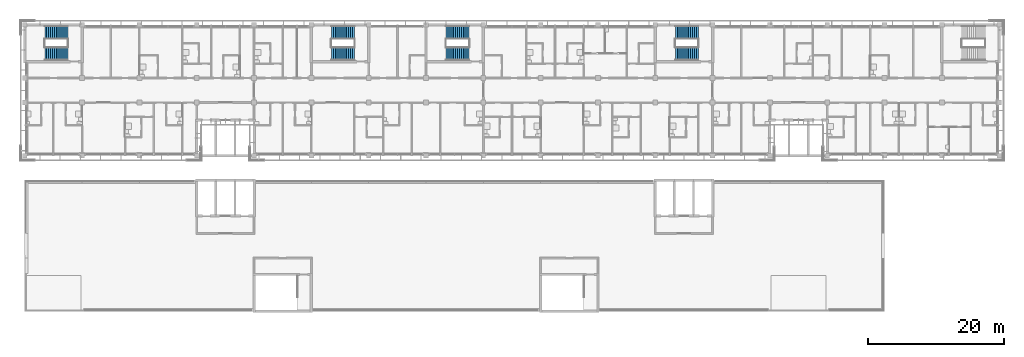
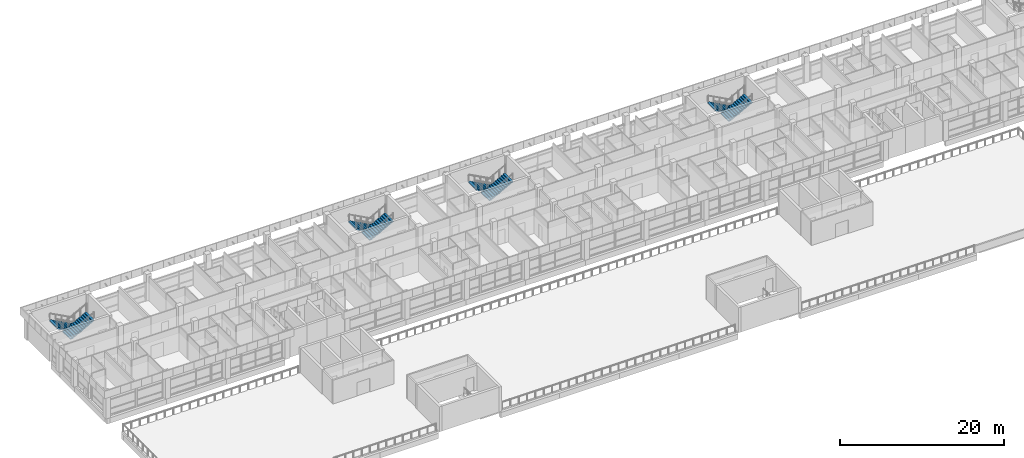
# One storey, part 28 of 46: 8 stair flights, 4 elements without a shape of their own.
"""IFC4 building model written with IfcOpenShell, lengths in metres."""

from ifc_helpers import new_model, si_unit, direction, frame, origin, place, context, subcontext, project, spatial, polyline, outline, extrude, material, type_object, element, aggregate, save


model = new_model("IFC4")

# Units and contexts
model_context = context("Model", 3, precision=1e-05, world=origin(), true_north=direction((0.0, 1.0)))
body_context = subcontext(model_context, "Body", "Model", "MODEL_VIEW")
ifc_project = project(units=[si_unit("LENGTHUNIT", "METRE"), si_unit("AREAUNIT", "SQUARE_METRE"), si_unit("VOLUMEUNIT", "CUBIC_METRE"), si_unit("PLANEANGLEUNIT", "RADIAN"), si_unit("MASSUNIT", "GRAM", prefix="KILO")], contexts=[model_context])

# Site, building, storey
site_placement = place(None, origin())
site = spatial("IfcSite", under=ifc_project, at=site_placement, CompositionType="ELEMENT")
building_placement = place(site_placement, origin())
building = spatial("IfcBuilding", under=site, at=building_placement, Name="Bougainvillea Quay General Hospital", CompositionType="ELEMENT")
storey_placement = place(building_placement, frame((0.0, 0.0, 28.800048828125)))
storey = spatial("IfcBuildingStorey", under=building, at=storey_placement, Name="L06", CompositionType="ELEMENT", Elevation=28.800048828125)

# Stair, stair flights
ifc_material = material(Name="Concrete C35", Category="concrete")
stair_type = type_object("IfcStairType", Name="Stair half-turn 1925 wide", PredefinedType="HALF_TURN_STAIR", material=ifc_material)
stair_1_placement = place(storey_placement, origin())
stair_1 = element("IfcStair", 1, at=stair_1_placement, inside=storey, type_object=stair_type, Name="L06 stair ST-A1", PredefinedType="HALF_TURN_STAIR")
stair_flight_type = type_object("IfcStairFlightType", Name="Stair flight 1925", PredefinedType="STRAIGHT", material=ifc_material)
stair_flight_1_placement = place(storey_placement, frame((48.300048828125, 158.46240234375, 0.0), z_axis=(0.0, 0.0, 1.0), x_axis=(-1.0, 0.0, 0.0)))
stair_flight_1 = element("IfcStairFlight", 2, at=stair_flight_1_placement, type_object=stair_flight_type, Name="ST-A1 flight 1", NumberOfRisers=13, NumberOfTreads=12, PredefinedType="STRAIGHT", RiserHeight=0.15, TreadLength=0.28, context=body_context, shape_type="SweptSolid", body=[
    extrude(outline(polyline([(-0.0029296875, 0.0), (-0.0029296875, 0.003662109375), (-0.0029296875, 0.00732421875), (-0.0029296875, 0.010986328125), (-0.0029296875, 0.0146484375), (-0.0029296875, 0.018310546875), (-0.0029296875, 0.02197265625), (-0.0029296875, 0.025634765625), (-0.0029296875, 0.029296875), (-0.0029296875, 0.032958984375), (-0.0029296875, 0.03662109375), (-0.0029296875, 0.040283203125), (-0.0029296875, 0.0439453125), (-0.0029296875, 0.047607421875), (-0.0029296875, 0.05126953125), (-0.0029296875, 0.054931640625), (-0.0029296875, 0.05859375), (-0.0029296875, 0.062255859375), (-0.0029296875, 0.06591796875), (-0.0029296875, 0.069580078125), (-0.0029296875, 0.0732421875), (-0.0029296875, 0.076904296875), (-0.0029296875, 0.08056640625), (-0.0029296875, 0.084228515625), (-0.0029296875, 0.087890625), (-0.0029296875, 0.091552734375), (-0.0029296875, 0.09521484375), (-0.0029296875, 0.098876953125), (-0.0029296875, 0.1025390625), (-0.0029296875, 0.106201171875), (-0.0029296875, 0.10986328125), (-0.0029296875, 0.113525390625), (-0.0029296875, 0.1171875), (-0.0029296875, 0.120849609375), (-0.0029296875, 0.12451171875), (-0.0029296875, 0.1279296875), (-0.0029296875, 0.131591796875), (-0.0029296875, 0.13525390625), (-0.0029296875, 0.138916015625), (-0.0029296875, 0.142578125), (-0.0029296875, 0.146240234375), (-0.0029296875, 0.14990234375), (0.280029296875, 0.14990234375), (0.280029296875, 0.300048828125), (0.56005859375, 0.300048828125), (0.56005859375, 0.449951171875), (0.840087890625, 0.449951171875), (0.840087890625, 0.60009765625), (1.1201171875, 0.60009765625), (1.1201171875, 0.75), (1.39990234375, 0.75), (1.39990234375, 0.89990234375), (1.679931640625, 0.89990234375), (1.679931640625, 1.050048828125), (1.9599609375, 1.050048828125), (1.9599609375, 1.199951171875), (2.239990234375, 1.199951171875), (2.239990234375, 1.35009765625), (2.52001953125, 1.35009765625), (2.52001953125, 1.5), (2.800048828125, 1.5), (2.800048828125, 1.64990234375), (3.080078125, 1.64990234375), (3.080078125, 1.800048828125), (3.363037109375, 1.800048828125), (3.363037109375, 1.7958984375), (3.363037109375, 1.791748046875), (3.363037109375, 1.78759765625), (3.363037109375, 1.783447265625), (3.363037109375, 1.779296875), (3.363037109375, 1.775146484375), (3.363037109375, 1.77099609375), (3.363037109375, 1.766845703125), (3.363037109375, 1.7626953125), (3.363037109375, 1.758544921875), (3.363037109375, 1.75439453125), (3.363037109375, 1.750244140625), (3.363037109375, 1.74609375), (3.363037109375, 1.741943359375), (3.363037109375, 1.73779296875), (3.363037109375, 1.733642578125), (3.363037109375, 1.7294921875), (3.363037109375, 1.725341796875), (3.363037109375, 1.72119140625), (3.363037109375, 1.717041015625), (3.363037109375, 1.712890625), (3.363037109375, 1.708740234375), (3.363037109375, 1.70458984375), (3.363037109375, 1.700439453125), (3.363037109375, 1.6962890625), (3.363037109375, 1.692138671875), (3.363037109375, 1.68798828125), (3.363037109375, 1.683837890625), (3.363037109375, 1.6796875), (3.363037109375, 1.675537109375), (3.363037109375, 1.67138671875), (3.363037109375, 1.667236328125), (3.363037109375, 1.6630859375), (3.363037109375, 1.658935546875), (3.363037109375, 1.65478515625), (3.363037109375, 1.650634765625), (3.363037109375, 1.646484375), (3.363037109375, 1.642333984375), (3.363037109375, 1.63818359375), (3.363037109375, 1.634033203125), (3.363037109375, 1.6298828125), (0.3173828125, 0.0), (-0.0029296875, 0.0)])), frame((0.0, 0.96240234375, 0.0), z_axis=(0.0, -1.0, 0.0), x_axis=(1.0, 0.0, 0.0)), (0.0, 0.0, 1.0), 1.925048828125),
])
stair_flight_2_placement = place(storey_placement, frame((44.93994140625, 155.33740234375, 1.949951171875), z_axis=(0.0, 0.0, 1.0), x_axis=(1.0, 0.0, 0.0)))
stair_flight_2 = element("IfcStairFlight", 3, at=stair_flight_2_placement, type_object=stair_flight_type, Name="ST-A1 flight 2", NumberOfRisers=13, NumberOfTreads=12, PredefinedType="STRAIGHT", RiserHeight=0.15, TreadLength=0.28, context=body_context, shape_type="SweptSolid", body=[
    extrude(outline(polyline([(-0.0029296875, 0.0), (-0.0029296875, 0.003662109375), (-0.0029296875, 0.00732421875), (-0.0029296875, 0.010986328125), (-0.0029296875, 0.0146484375), (-0.0029296875, 0.018310546875), (-0.0029296875, 0.02197265625), (-0.0029296875, 0.025634765625), (-0.0029296875, 0.029296875), (-0.0029296875, 0.032958984375), (-0.0029296875, 0.03662109375), (-0.0029296875, 0.040283203125), (-0.0029296875, 0.0439453125), (-0.0029296875, 0.047607421875), (-0.0029296875, 0.05126953125), (-0.0029296875, 0.054931640625), (-0.0029296875, 0.05859375), (-0.0029296875, 0.062255859375), (-0.0029296875, 0.06591796875), (-0.0029296875, 0.069580078125), (-0.0029296875, 0.0732421875), (-0.0029296875, 0.076904296875), (-0.0029296875, 0.08056640625), (-0.0029296875, 0.084228515625), (-0.0029296875, 0.087890625), (-0.0029296875, 0.091552734375), (-0.0029296875, 0.09521484375), (-0.0029296875, 0.098876953125), (-0.0029296875, 0.1025390625), (-0.0029296875, 0.106201171875), (-0.0029296875, 0.10986328125), (-0.0029296875, 0.113525390625), (-0.0029296875, 0.1171875), (-0.0029296875, 0.120849609375), (-0.0029296875, 0.12451171875), (-0.0029296875, 0.1279296875), (-0.0029296875, 0.131591796875), (-0.0029296875, 0.13525390625), (-0.0029296875, 0.138916015625), (-0.0029296875, 0.142578125), (-0.0029296875, 0.146240234375), (-0.0029296875, 0.14990234375), (0.280029296875, 0.14990234375), (0.280029296875, 0.300048828125), (0.56005859375, 0.300048828125), (0.56005859375, 0.449951171875), (0.840087890625, 0.449951171875), (0.840087890625, 0.60009765625), (1.1201171875, 0.60009765625), (1.1201171875, 0.75), (1.39990234375, 0.75), (1.39990234375, 0.89990234375), (1.679931640625, 0.89990234375), (1.679931640625, 1.050048828125), (1.9599609375, 1.050048828125), (1.9599609375, 1.199951171875), (2.239990234375, 1.199951171875), (2.239990234375, 1.35009765625), (2.52001953125, 1.35009765625), (2.52001953125, 1.5), (2.800048828125, 1.5), (2.800048828125, 1.64990234375), (3.080078125, 1.64990234375), (3.080078125, 1.800048828125), (3.363037109375, 1.800048828125), (3.363037109375, 1.7958984375), (3.363037109375, 1.791748046875), (3.363037109375, 1.78759765625), (3.363037109375, 1.783447265625), (3.363037109375, 1.779296875), (3.363037109375, 1.775146484375), (3.363037109375, 1.77099609375), (3.363037109375, 1.766845703125), (3.363037109375, 1.7626953125), (3.363037109375, 1.758544921875), (3.363037109375, 1.75439453125), (3.363037109375, 1.750244140625), (3.363037109375, 1.74609375), (3.363037109375, 1.741943359375), (3.363037109375, 1.73779296875), (3.363037109375, 1.733642578125), (3.363037109375, 1.7294921875), (3.363037109375, 1.725341796875), (3.363037109375, 1.72119140625), (3.363037109375, 1.717041015625), (3.363037109375, 1.712890625), (3.363037109375, 1.708740234375), (3.363037109375, 1.70458984375), (3.363037109375, 1.700439453125), (3.363037109375, 1.6962890625), (3.363037109375, 1.692138671875), (3.363037109375, 1.68798828125), (3.363037109375, 1.683837890625), (3.363037109375, 1.6796875), (3.363037109375, 1.675537109375), (3.363037109375, 1.67138671875), (3.363037109375, 1.667236328125), (3.363037109375, 1.6630859375), (3.363037109375, 1.658935546875), (3.363037109375, 1.65478515625), (3.363037109375, 1.650634765625), (3.363037109375, 1.646484375), (3.363037109375, 1.642333984375), (3.363037109375, 1.63818359375), (3.363037109375, 1.634033203125), (3.363037109375, 1.6298828125), (0.3173828125, 0.0), (-0.0029296875, 0.0)])), frame((0.0, 0.96240234375, 0.0), z_axis=(0.0, -1.0, 0.0), x_axis=(1.0, 0.0, 0.0)), (0.0, 0.0, 1.0), 1.925048828125),
])
aggregate(stair_1, [stair_flight_1, stair_flight_2])

stair_2_placement = place(storey_placement, origin())
stair_2 = element("IfcStair", 4, at=stair_2_placement, inside=storey, type_object=stair_type, Name="L06 stair ST-A2", PredefinedType="HALF_TURN_STAIR")
stair_flight_3_placement = place(storey_placement, frame((90.300048828125, 158.46240234375, 0.0), z_axis=(0.0, 0.0, 1.0), x_axis=(-1.0, 0.0, 0.0)))
stair_flight_3 = element("IfcStairFlight", 5, at=stair_flight_3_placement, type_object=stair_flight_type, Name="ST-A2 flight 1", NumberOfRisers=13, NumberOfTreads=12, PredefinedType="STRAIGHT", RiserHeight=0.15, TreadLength=0.28, context=body_context, shape_type="SweptSolid", body=[
    extrude(outline(polyline([(-0.0029296875, 0.0), (-0.0029296875, 0.003662109375), (-0.0029296875, 0.00732421875), (-0.0029296875, 0.010986328125), (-0.0029296875, 0.0146484375), (-0.0029296875, 0.018310546875), (-0.0029296875, 0.02197265625), (-0.0029296875, 0.025634765625), (-0.0029296875, 0.029296875), (-0.0029296875, 0.032958984375), (-0.0029296875, 0.03662109375), (-0.0029296875, 0.040283203125), (-0.0029296875, 0.0439453125), (-0.0029296875, 0.047607421875), (-0.0029296875, 0.05126953125), (-0.0029296875, 0.054931640625), (-0.0029296875, 0.05859375), (-0.0029296875, 0.062255859375), (-0.0029296875, 0.06591796875), (-0.0029296875, 0.069580078125), (-0.0029296875, 0.0732421875), (-0.0029296875, 0.076904296875), (-0.0029296875, 0.08056640625), (-0.0029296875, 0.084228515625), (-0.0029296875, 0.087890625), (-0.0029296875, 0.091552734375), (-0.0029296875, 0.09521484375), (-0.0029296875, 0.098876953125), (-0.0029296875, 0.1025390625), (-0.0029296875, 0.106201171875), (-0.0029296875, 0.10986328125), (-0.0029296875, 0.113525390625), (-0.0029296875, 0.1171875), (-0.0029296875, 0.120849609375), (-0.0029296875, 0.12451171875), (-0.0029296875, 0.1279296875), (-0.0029296875, 0.131591796875), (-0.0029296875, 0.13525390625), (-0.0029296875, 0.138916015625), (-0.0029296875, 0.142578125), (-0.0029296875, 0.146240234375), (-0.0029296875, 0.14990234375), (0.280029296875, 0.14990234375), (0.280029296875, 0.300048828125), (0.56005859375, 0.300048828125), (0.56005859375, 0.449951171875), (0.840087890625, 0.449951171875), (0.840087890625, 0.60009765625), (1.1201171875, 0.60009765625), (1.1201171875, 0.75), (1.39990234375, 0.75), (1.39990234375, 0.89990234375), (1.679931640625, 0.89990234375), (1.679931640625, 1.050048828125), (1.9599609375, 1.050048828125), (1.9599609375, 1.199951171875), (2.239990234375, 1.199951171875), (2.239990234375, 1.35009765625), (2.52001953125, 1.35009765625), (2.52001953125, 1.5), (2.800048828125, 1.5), (2.800048828125, 1.64990234375), (3.080078125, 1.64990234375), (3.080078125, 1.800048828125), (3.363037109375, 1.800048828125), (3.363037109375, 1.7958984375), (3.363037109375, 1.791748046875), (3.363037109375, 1.78759765625), (3.363037109375, 1.783447265625), (3.363037109375, 1.779296875), (3.363037109375, 1.775146484375), (3.363037109375, 1.77099609375), (3.363037109375, 1.766845703125), (3.363037109375, 1.7626953125), (3.363037109375, 1.758544921875), (3.363037109375, 1.75439453125), (3.363037109375, 1.750244140625), (3.363037109375, 1.74609375), (3.363037109375, 1.741943359375), (3.363037109375, 1.73779296875), (3.363037109375, 1.733642578125), (3.363037109375, 1.7294921875), (3.363037109375, 1.725341796875), (3.363037109375, 1.72119140625), (3.363037109375, 1.717041015625), (3.363037109375, 1.712890625), (3.363037109375, 1.708740234375), (3.363037109375, 1.70458984375), (3.363037109375, 1.700439453125), (3.363037109375, 1.6962890625), (3.363037109375, 1.692138671875), (3.363037109375, 1.68798828125), (3.363037109375, 1.683837890625), (3.363037109375, 1.6796875), (3.363037109375, 1.675537109375), (3.363037109375, 1.67138671875), (3.363037109375, 1.667236328125), (3.363037109375, 1.6630859375), (3.363037109375, 1.658935546875), (3.363037109375, 1.65478515625), (3.363037109375, 1.650634765625), (3.363037109375, 1.646484375), (3.363037109375, 1.642333984375), (3.363037109375, 1.63818359375), (3.363037109375, 1.634033203125), (3.363037109375, 1.6298828125), (0.3173828125, 0.0), (-0.0029296875, 0.0)])), frame((0.0, 0.96240234375, 0.0), z_axis=(0.0, -1.0, 0.0), x_axis=(1.0, 0.0, 0.0)), (0.0, 0.0, 1.0), 1.925048828125),
])
stair_flight_4_placement = place(storey_placement, frame((86.93994140625, 155.33740234375, 1.949951171875), z_axis=(0.0, 0.0, 1.0), x_axis=(1.0, 0.0, 0.0)))
stair_flight_4 = element("IfcStairFlight", 6, at=stair_flight_4_placement, type_object=stair_flight_type, Name="ST-A2 flight 2", NumberOfRisers=13, NumberOfTreads=12, PredefinedType="STRAIGHT", RiserHeight=0.15, TreadLength=0.28, context=body_context, shape_type="SweptSolid", body=[
    extrude(outline(polyline([(-0.0029296875, 0.0), (-0.0029296875, 0.003662109375), (-0.0029296875, 0.00732421875), (-0.0029296875, 0.010986328125), (-0.0029296875, 0.0146484375), (-0.0029296875, 0.018310546875), (-0.0029296875, 0.02197265625), (-0.0029296875, 0.025634765625), (-0.0029296875, 0.029296875), (-0.0029296875, 0.032958984375), (-0.0029296875, 0.03662109375), (-0.0029296875, 0.040283203125), (-0.0029296875, 0.0439453125), (-0.0029296875, 0.047607421875), (-0.0029296875, 0.05126953125), (-0.0029296875, 0.054931640625), (-0.0029296875, 0.05859375), (-0.0029296875, 0.062255859375), (-0.0029296875, 0.06591796875), (-0.0029296875, 0.069580078125), (-0.0029296875, 0.0732421875), (-0.0029296875, 0.076904296875), (-0.0029296875, 0.08056640625), (-0.0029296875, 0.084228515625), (-0.0029296875, 0.087890625), (-0.0029296875, 0.091552734375), (-0.0029296875, 0.09521484375), (-0.0029296875, 0.098876953125), (-0.0029296875, 0.1025390625), (-0.0029296875, 0.106201171875), (-0.0029296875, 0.10986328125), (-0.0029296875, 0.113525390625), (-0.0029296875, 0.1171875), (-0.0029296875, 0.120849609375), (-0.0029296875, 0.12451171875), (-0.0029296875, 0.1279296875), (-0.0029296875, 0.131591796875), (-0.0029296875, 0.13525390625), (-0.0029296875, 0.138916015625), (-0.0029296875, 0.142578125), (-0.0029296875, 0.146240234375), (-0.0029296875, 0.14990234375), (0.280029296875, 0.14990234375), (0.280029296875, 0.300048828125), (0.56005859375, 0.300048828125), (0.56005859375, 0.449951171875), (0.840087890625, 0.449951171875), (0.840087890625, 0.60009765625), (1.1201171875, 0.60009765625), (1.1201171875, 0.75), (1.39990234375, 0.75), (1.39990234375, 0.89990234375), (1.679931640625, 0.89990234375), (1.679931640625, 1.050048828125), (1.9599609375, 1.050048828125), (1.9599609375, 1.199951171875), (2.239990234375, 1.199951171875), (2.239990234375, 1.35009765625), (2.52001953125, 1.35009765625), (2.52001953125, 1.5), (2.800048828125, 1.5), (2.800048828125, 1.64990234375), (3.080078125, 1.64990234375), (3.080078125, 1.800048828125), (3.363037109375, 1.800048828125), (3.363037109375, 1.7958984375), (3.363037109375, 1.791748046875), (3.363037109375, 1.78759765625), (3.363037109375, 1.783447265625), (3.363037109375, 1.779296875), (3.363037109375, 1.775146484375), (3.363037109375, 1.77099609375), (3.363037109375, 1.766845703125), (3.363037109375, 1.7626953125), (3.363037109375, 1.758544921875), (3.363037109375, 1.75439453125), (3.363037109375, 1.750244140625), (3.363037109375, 1.74609375), (3.363037109375, 1.741943359375), (3.363037109375, 1.73779296875), (3.363037109375, 1.733642578125), (3.363037109375, 1.7294921875), (3.363037109375, 1.725341796875), (3.363037109375, 1.72119140625), (3.363037109375, 1.717041015625), (3.363037109375, 1.712890625), (3.363037109375, 1.708740234375), (3.363037109375, 1.70458984375), (3.363037109375, 1.700439453125), (3.363037109375, 1.6962890625), (3.363037109375, 1.692138671875), (3.363037109375, 1.68798828125), (3.363037109375, 1.683837890625), (3.363037109375, 1.6796875), (3.363037109375, 1.675537109375), (3.363037109375, 1.67138671875), (3.363037109375, 1.667236328125), (3.363037109375, 1.6630859375), (3.363037109375, 1.658935546875), (3.363037109375, 1.65478515625), (3.363037109375, 1.650634765625), (3.363037109375, 1.646484375), (3.363037109375, 1.642333984375), (3.363037109375, 1.63818359375), (3.363037109375, 1.634033203125), (3.363037109375, 1.6298828125), (0.3173828125, 0.0), (-0.0029296875, 0.0)])), frame((0.0, 0.96240234375, 0.0), z_axis=(0.0, -1.0, 0.0), x_axis=(1.0, 0.0, 0.0)), (0.0, 0.0, 1.0), 1.925048828125),
])
aggregate(stair_2, [stair_flight_3, stair_flight_4])

stair_3_placement = place(storey_placement, origin())
stair_3 = element("IfcStair", 7, at=stair_3_placement, inside=storey, type_object=stair_type, Name="L06 stair ST-A3", PredefinedType="HALF_TURN_STAIR")
stair_flight_5_placement = place(storey_placement, frame((140.699951171875, 158.46240234375, 0.0), z_axis=(0.0, 0.0, 1.0), x_axis=(-1.0, 0.0, 0.0)))
stair_flight_5 = element("IfcStairFlight", 8, at=stair_flight_5_placement, type_object=stair_flight_type, Name="ST-A3 flight 1", NumberOfRisers=13, NumberOfTreads=12, PredefinedType="STRAIGHT", RiserHeight=0.15, TreadLength=0.28, context=body_context, shape_type="SweptSolid", body=[
    extrude(outline(polyline([(-0.0029296875, 0.0), (-0.0029296875, 0.003662109375), (-0.0029296875, 0.00732421875), (-0.0029296875, 0.010986328125), (-0.0029296875, 0.0146484375), (-0.0029296875, 0.018310546875), (-0.0029296875, 0.02197265625), (-0.0029296875, 0.025634765625), (-0.0029296875, 0.029296875), (-0.0029296875, 0.032958984375), (-0.0029296875, 0.03662109375), (-0.0029296875, 0.040283203125), (-0.0029296875, 0.0439453125), (-0.0029296875, 0.047607421875), (-0.0029296875, 0.05126953125), (-0.0029296875, 0.054931640625), (-0.0029296875, 0.05859375), (-0.0029296875, 0.062255859375), (-0.0029296875, 0.06591796875), (-0.0029296875, 0.069580078125), (-0.0029296875, 0.0732421875), (-0.0029296875, 0.076904296875), (-0.0029296875, 0.08056640625), (-0.0029296875, 0.084228515625), (-0.0029296875, 0.087890625), (-0.0029296875, 0.091552734375), (-0.0029296875, 0.09521484375), (-0.0029296875, 0.098876953125), (-0.0029296875, 0.1025390625), (-0.0029296875, 0.106201171875), (-0.0029296875, 0.10986328125), (-0.0029296875, 0.113525390625), (-0.0029296875, 0.1171875), (-0.0029296875, 0.120849609375), (-0.0029296875, 0.12451171875), (-0.0029296875, 0.1279296875), (-0.0029296875, 0.131591796875), (-0.0029296875, 0.13525390625), (-0.0029296875, 0.138916015625), (-0.0029296875, 0.142578125), (-0.0029296875, 0.146240234375), (-0.0029296875, 0.14990234375), (0.280029296875, 0.14990234375), (0.280029296875, 0.300048828125), (0.56005859375, 0.300048828125), (0.56005859375, 0.449951171875), (0.840087890625, 0.449951171875), (0.840087890625, 0.60009765625), (1.1201171875, 0.60009765625), (1.1201171875, 0.75), (1.39990234375, 0.75), (1.39990234375, 0.89990234375), (1.679931640625, 0.89990234375), (1.679931640625, 1.050048828125), (1.9599609375, 1.050048828125), (1.9599609375, 1.199951171875), (2.239990234375, 1.199951171875), (2.239990234375, 1.35009765625), (2.52001953125, 1.35009765625), (2.52001953125, 1.5), (2.800048828125, 1.5), (2.800048828125, 1.64990234375), (3.080078125, 1.64990234375), (3.080078125, 1.800048828125), (3.363037109375, 1.800048828125), (3.363037109375, 1.7958984375), (3.363037109375, 1.791748046875), (3.363037109375, 1.78759765625), (3.363037109375, 1.783447265625), (3.363037109375, 1.779296875), (3.363037109375, 1.775146484375), (3.363037109375, 1.77099609375), (3.363037109375, 1.766845703125), (3.363037109375, 1.7626953125), (3.363037109375, 1.758544921875), (3.363037109375, 1.75439453125), (3.363037109375, 1.750244140625), (3.363037109375, 1.74609375), (3.363037109375, 1.741943359375), (3.363037109375, 1.73779296875), (3.363037109375, 1.733642578125), (3.363037109375, 1.7294921875), (3.363037109375, 1.725341796875), (3.363037109375, 1.72119140625), (3.363037109375, 1.717041015625), (3.363037109375, 1.712890625), (3.363037109375, 1.708740234375), (3.363037109375, 1.70458984375), (3.363037109375, 1.700439453125), (3.363037109375, 1.6962890625), (3.363037109375, 1.692138671875), (3.363037109375, 1.68798828125), (3.363037109375, 1.683837890625), (3.363037109375, 1.6796875), (3.363037109375, 1.675537109375), (3.363037109375, 1.67138671875), (3.363037109375, 1.667236328125), (3.363037109375, 1.6630859375), (3.363037109375, 1.658935546875), (3.363037109375, 1.65478515625), (3.363037109375, 1.650634765625), (3.363037109375, 1.646484375), (3.363037109375, 1.642333984375), (3.363037109375, 1.63818359375), (3.363037109375, 1.634033203125), (3.363037109375, 1.6298828125), (0.3173828125, 0.0), (-0.0029296875, 0.0)])), frame((0.0, 0.96240234375, 0.0), z_axis=(0.0, -1.0, 0.0), x_axis=(1.0, 0.0, 0.0)), (0.0, 0.0, 1.0), 1.925048828125),
])
stair_flight_6_placement = place(storey_placement, frame((137.340087890625, 155.33740234375, 1.949951171875), z_axis=(0.0, 0.0, 1.0), x_axis=(1.0, 0.0, 0.0)))
stair_flight_6 = element("IfcStairFlight", 9, at=stair_flight_6_placement, type_object=stair_flight_type, Name="ST-A3 flight 2", NumberOfRisers=13, NumberOfTreads=12, PredefinedType="STRAIGHT", RiserHeight=0.15, TreadLength=0.28, context=body_context, shape_type="SweptSolid", body=[
    extrude(outline(polyline([(-0.0029296875, 0.0), (-0.0029296875, 0.003662109375), (-0.0029296875, 0.00732421875), (-0.0029296875, 0.010986328125), (-0.0029296875, 0.0146484375), (-0.0029296875, 0.018310546875), (-0.0029296875, 0.02197265625), (-0.0029296875, 0.025634765625), (-0.0029296875, 0.029296875), (-0.0029296875, 0.032958984375), (-0.0029296875, 0.03662109375), (-0.0029296875, 0.040283203125), (-0.0029296875, 0.0439453125), (-0.0029296875, 0.047607421875), (-0.0029296875, 0.05126953125), (-0.0029296875, 0.054931640625), (-0.0029296875, 0.05859375), (-0.0029296875, 0.062255859375), (-0.0029296875, 0.06591796875), (-0.0029296875, 0.069580078125), (-0.0029296875, 0.0732421875), (-0.0029296875, 0.076904296875), (-0.0029296875, 0.08056640625), (-0.0029296875, 0.084228515625), (-0.0029296875, 0.087890625), (-0.0029296875, 0.091552734375), (-0.0029296875, 0.09521484375), (-0.0029296875, 0.098876953125), (-0.0029296875, 0.1025390625), (-0.0029296875, 0.106201171875), (-0.0029296875, 0.10986328125), (-0.0029296875, 0.113525390625), (-0.0029296875, 0.1171875), (-0.0029296875, 0.120849609375), (-0.0029296875, 0.12451171875), (-0.0029296875, 0.1279296875), (-0.0029296875, 0.131591796875), (-0.0029296875, 0.13525390625), (-0.0029296875, 0.138916015625), (-0.0029296875, 0.142578125), (-0.0029296875, 0.146240234375), (-0.0029296875, 0.14990234375), (0.280029296875, 0.14990234375), (0.280029296875, 0.300048828125), (0.56005859375, 0.300048828125), (0.56005859375, 0.449951171875), (0.840087890625, 0.449951171875), (0.840087890625, 0.60009765625), (1.1201171875, 0.60009765625), (1.1201171875, 0.75), (1.39990234375, 0.75), (1.39990234375, 0.89990234375), (1.679931640625, 0.89990234375), (1.679931640625, 1.050048828125), (1.9599609375, 1.050048828125), (1.9599609375, 1.199951171875), (2.239990234375, 1.199951171875), (2.239990234375, 1.35009765625), (2.52001953125, 1.35009765625), (2.52001953125, 1.5), (2.800048828125, 1.5), (2.800048828125, 1.64990234375), (3.080078125, 1.64990234375), (3.080078125, 1.800048828125), (3.363037109375, 1.800048828125), (3.363037109375, 1.7958984375), (3.363037109375, 1.791748046875), (3.363037109375, 1.78759765625), (3.363037109375, 1.783447265625), (3.363037109375, 1.779296875), (3.363037109375, 1.775146484375), (3.363037109375, 1.77099609375), (3.363037109375, 1.766845703125), (3.363037109375, 1.7626953125), (3.363037109375, 1.758544921875), (3.363037109375, 1.75439453125), (3.363037109375, 1.750244140625), (3.363037109375, 1.74609375), (3.363037109375, 1.741943359375), (3.363037109375, 1.73779296875), (3.363037109375, 1.733642578125), (3.363037109375, 1.7294921875), (3.363037109375, 1.725341796875), (3.363037109375, 1.72119140625), (3.363037109375, 1.717041015625), (3.363037109375, 1.712890625), (3.363037109375, 1.708740234375), (3.363037109375, 1.70458984375), (3.363037109375, 1.700439453125), (3.363037109375, 1.6962890625), (3.363037109375, 1.692138671875), (3.363037109375, 1.68798828125), (3.363037109375, 1.683837890625), (3.363037109375, 1.6796875), (3.363037109375, 1.675537109375), (3.363037109375, 1.67138671875), (3.363037109375, 1.667236328125), (3.363037109375, 1.6630859375), (3.363037109375, 1.658935546875), (3.363037109375, 1.65478515625), (3.363037109375, 1.650634765625), (3.363037109375, 1.646484375), (3.363037109375, 1.642333984375), (3.363037109375, 1.63818359375), (3.363037109375, 1.634033203125), (3.363037109375, 1.6298828125), (0.3173828125, 0.0), (-0.0029296875, 0.0)])), frame((0.0, 0.96240234375, 0.0), z_axis=(0.0, -1.0, 0.0), x_axis=(1.0, 0.0, 0.0)), (0.0, 0.0, 1.0), 1.925048828125),
])
aggregate(stair_3, [stair_flight_5, stair_flight_6])

stair_4_placement = place(storey_placement, origin())
stair_4 = element("IfcStair", 10, at=stair_4_placement, inside=storey, type_object=stair_type, Name="L06 stair ST-A5", PredefinedType="HALF_TURN_STAIR")
stair_flight_7_placement = place(storey_placement, frame((107.10009765625, 158.46240234375, 0.0), z_axis=(0.0, 0.0, 1.0), x_axis=(-1.0, 0.0, 0.0)))
stair_flight_7 = element("IfcStairFlight", 11, at=stair_flight_7_placement, type_object=stair_flight_type, Name="ST-A5 flight 1", NumberOfRisers=13, NumberOfTreads=12, PredefinedType="STRAIGHT", RiserHeight=0.15, TreadLength=0.28, context=body_context, shape_type="SweptSolid", body=[
    extrude(outline(polyline([(-0.0029296875, 0.0), (-0.0029296875, 0.003662109375), (-0.0029296875, 0.00732421875), (-0.0029296875, 0.010986328125), (-0.0029296875, 0.0146484375), (-0.0029296875, 0.018310546875), (-0.0029296875, 0.02197265625), (-0.0029296875, 0.025634765625), (-0.0029296875, 0.029296875), (-0.0029296875, 0.032958984375), (-0.0029296875, 0.03662109375), (-0.0029296875, 0.040283203125), (-0.0029296875, 0.0439453125), (-0.0029296875, 0.047607421875), (-0.0029296875, 0.05126953125), (-0.0029296875, 0.054931640625), (-0.0029296875, 0.05859375), (-0.0029296875, 0.062255859375), (-0.0029296875, 0.06591796875), (-0.0029296875, 0.069580078125), (-0.0029296875, 0.0732421875), (-0.0029296875, 0.076904296875), (-0.0029296875, 0.08056640625), (-0.0029296875, 0.084228515625), (-0.0029296875, 0.087890625), (-0.0029296875, 0.091552734375), (-0.0029296875, 0.09521484375), (-0.0029296875, 0.098876953125), (-0.0029296875, 0.1025390625), (-0.0029296875, 0.106201171875), (-0.0029296875, 0.10986328125), (-0.0029296875, 0.113525390625), (-0.0029296875, 0.1171875), (-0.0029296875, 0.120849609375), (-0.0029296875, 0.12451171875), (-0.0029296875, 0.1279296875), (-0.0029296875, 0.131591796875), (-0.0029296875, 0.13525390625), (-0.0029296875, 0.138916015625), (-0.0029296875, 0.142578125), (-0.0029296875, 0.146240234375), (-0.0029296875, 0.14990234375), (0.280029296875, 0.14990234375), (0.280029296875, 0.300048828125), (0.56005859375, 0.300048828125), (0.56005859375, 0.449951171875), (0.840087890625, 0.449951171875), (0.840087890625, 0.60009765625), (1.1201171875, 0.60009765625), (1.1201171875, 0.75), (1.39990234375, 0.75), (1.39990234375, 0.89990234375), (1.679931640625, 0.89990234375), (1.679931640625, 1.050048828125), (1.9599609375, 1.050048828125), (1.9599609375, 1.199951171875), (2.239990234375, 1.199951171875), (2.239990234375, 1.35009765625), (2.52001953125, 1.35009765625), (2.52001953125, 1.5), (2.800048828125, 1.5), (2.800048828125, 1.64990234375), (3.080078125, 1.64990234375), (3.080078125, 1.800048828125), (3.363037109375, 1.800048828125), (3.363037109375, 1.7958984375), (3.363037109375, 1.791748046875), (3.363037109375, 1.78759765625), (3.363037109375, 1.783447265625), (3.363037109375, 1.779296875), (3.363037109375, 1.775146484375), (3.363037109375, 1.77099609375), (3.363037109375, 1.766845703125), (3.363037109375, 1.7626953125), (3.363037109375, 1.758544921875), (3.363037109375, 1.75439453125), (3.363037109375, 1.750244140625), (3.363037109375, 1.74609375), (3.363037109375, 1.741943359375), (3.363037109375, 1.73779296875), (3.363037109375, 1.733642578125), (3.363037109375, 1.7294921875), (3.363037109375, 1.725341796875), (3.363037109375, 1.72119140625), (3.363037109375, 1.717041015625), (3.363037109375, 1.712890625), (3.363037109375, 1.708740234375), (3.363037109375, 1.70458984375), (3.363037109375, 1.700439453125), (3.363037109375, 1.6962890625), (3.363037109375, 1.692138671875), (3.363037109375, 1.68798828125), (3.363037109375, 1.683837890625), (3.363037109375, 1.6796875), (3.363037109375, 1.675537109375), (3.363037109375, 1.67138671875), (3.363037109375, 1.667236328125), (3.363037109375, 1.6630859375), (3.363037109375, 1.658935546875), (3.363037109375, 1.65478515625), (3.363037109375, 1.650634765625), (3.363037109375, 1.646484375), (3.363037109375, 1.642333984375), (3.363037109375, 1.63818359375), (3.363037109375, 1.634033203125), (3.363037109375, 1.6298828125), (0.3173828125, 0.0), (-0.0029296875, 0.0)])), frame((0.0, 0.96240234375, 0.0), z_axis=(0.0, -1.0, 0.0), x_axis=(1.0, 0.0, 0.0)), (0.0, 0.0, 1.0), 1.925048828125),
])
stair_flight_8_placement = place(storey_placement, frame((103.739990234375, 155.33740234375, 1.949951171875), z_axis=(0.0, 0.0, 1.0), x_axis=(1.0, 0.0, 0.0)))
stair_flight_8 = element("IfcStairFlight", 12, at=stair_flight_8_placement, type_object=stair_flight_type, Name="ST-A5 flight 2", NumberOfRisers=13, NumberOfTreads=12, PredefinedType="STRAIGHT", RiserHeight=0.15, TreadLength=0.28, context=body_context, shape_type="SweptSolid", body=[
    extrude(outline(polyline([(-0.0029296875, 0.0), (-0.0029296875, 0.003662109375), (-0.0029296875, 0.00732421875), (-0.0029296875, 0.010986328125), (-0.0029296875, 0.0146484375), (-0.0029296875, 0.018310546875), (-0.0029296875, 0.02197265625), (-0.0029296875, 0.025634765625), (-0.0029296875, 0.029296875), (-0.0029296875, 0.032958984375), (-0.0029296875, 0.03662109375), (-0.0029296875, 0.040283203125), (-0.0029296875, 0.0439453125), (-0.0029296875, 0.047607421875), (-0.0029296875, 0.05126953125), (-0.0029296875, 0.054931640625), (-0.0029296875, 0.05859375), (-0.0029296875, 0.062255859375), (-0.0029296875, 0.06591796875), (-0.0029296875, 0.069580078125), (-0.0029296875, 0.0732421875), (-0.0029296875, 0.076904296875), (-0.0029296875, 0.08056640625), (-0.0029296875, 0.084228515625), (-0.0029296875, 0.087890625), (-0.0029296875, 0.091552734375), (-0.0029296875, 0.09521484375), (-0.0029296875, 0.098876953125), (-0.0029296875, 0.1025390625), (-0.0029296875, 0.106201171875), (-0.0029296875, 0.10986328125), (-0.0029296875, 0.113525390625), (-0.0029296875, 0.1171875), (-0.0029296875, 0.120849609375), (-0.0029296875, 0.12451171875), (-0.0029296875, 0.1279296875), (-0.0029296875, 0.131591796875), (-0.0029296875, 0.13525390625), (-0.0029296875, 0.138916015625), (-0.0029296875, 0.142578125), (-0.0029296875, 0.146240234375), (-0.0029296875, 0.14990234375), (0.280029296875, 0.14990234375), (0.280029296875, 0.300048828125), (0.56005859375, 0.300048828125), (0.56005859375, 0.449951171875), (0.840087890625, 0.449951171875), (0.840087890625, 0.60009765625), (1.1201171875, 0.60009765625), (1.1201171875, 0.75), (1.39990234375, 0.75), (1.39990234375, 0.89990234375), (1.679931640625, 0.89990234375), (1.679931640625, 1.050048828125), (1.9599609375, 1.050048828125), (1.9599609375, 1.199951171875), (2.239990234375, 1.199951171875), (2.239990234375, 1.35009765625), (2.52001953125, 1.35009765625), (2.52001953125, 1.5), (2.800048828125, 1.5), (2.800048828125, 1.64990234375), (3.080078125, 1.64990234375), (3.080078125, 1.800048828125), (3.363037109375, 1.800048828125), (3.363037109375, 1.7958984375), (3.363037109375, 1.791748046875), (3.363037109375, 1.78759765625), (3.363037109375, 1.783447265625), (3.363037109375, 1.779296875), (3.363037109375, 1.775146484375), (3.363037109375, 1.77099609375), (3.363037109375, 1.766845703125), (3.363037109375, 1.7626953125), (3.363037109375, 1.758544921875), (3.363037109375, 1.75439453125), (3.363037109375, 1.750244140625), (3.363037109375, 1.74609375), (3.363037109375, 1.741943359375), (3.363037109375, 1.73779296875), (3.363037109375, 1.733642578125), (3.363037109375, 1.7294921875), (3.363037109375, 1.725341796875), (3.363037109375, 1.72119140625), (3.363037109375, 1.717041015625), (3.363037109375, 1.712890625), (3.363037109375, 1.708740234375), (3.363037109375, 1.70458984375), (3.363037109375, 1.700439453125), (3.363037109375, 1.6962890625), (3.363037109375, 1.692138671875), (3.363037109375, 1.68798828125), (3.363037109375, 1.683837890625), (3.363037109375, 1.6796875), (3.363037109375, 1.675537109375), (3.363037109375, 1.67138671875), (3.363037109375, 1.667236328125), (3.363037109375, 1.6630859375), (3.363037109375, 1.658935546875), (3.363037109375, 1.65478515625), (3.363037109375, 1.650634765625), (3.363037109375, 1.646484375), (3.363037109375, 1.642333984375), (3.363037109375, 1.63818359375), (3.363037109375, 1.634033203125), (3.363037109375, 1.6298828125), (0.3173828125, 0.0), (-0.0029296875, 0.0)])), frame((0.0, 0.96240234375, 0.0), z_axis=(0.0, -1.0, 0.0), x_axis=(1.0, 0.0, 0.0)), (0.0, 0.0, 1.0), 1.925048828125),
])
aggregate(stair_4, [stair_flight_7, stair_flight_8])

save(model, "model.ifc")
